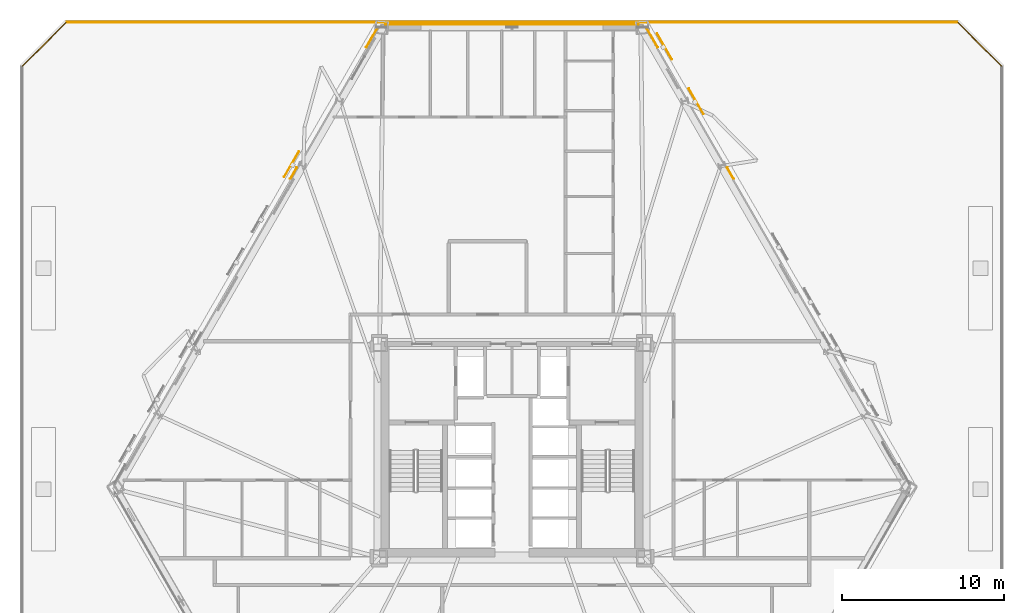
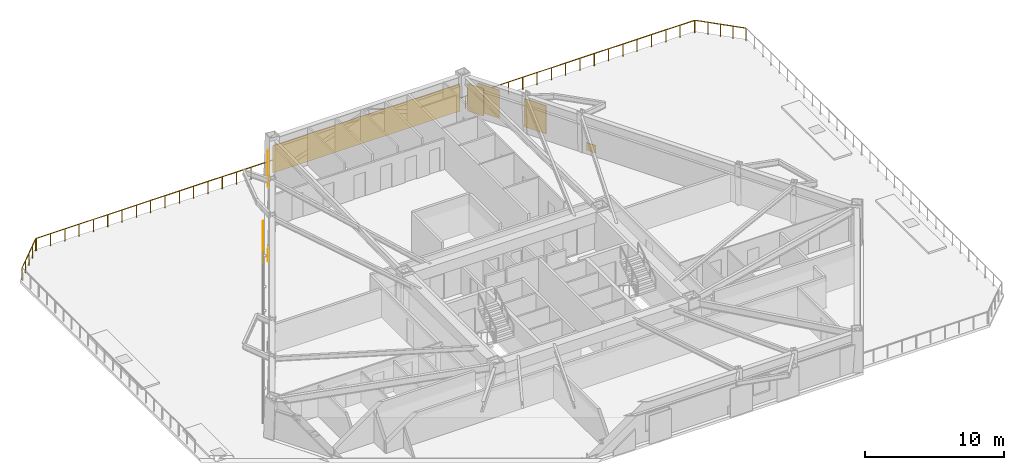
# One storey, part 14 of 14: 5 coverings, 3 railings, 3 shading devices.
"""IFC4 building model written with IfcOpenShell, lengths in metres."""

from ifc_helpers import new_model, si_unit, direction, frame, origin, origin_2d, place, context, subcontext, project, spatial, rectangle, circle, extrude, material, layer, layer_set, type_object, element, save


model = new_model("IFC4")

# Units and contexts
model_context = context("Model", 3, precision=1e-05, world=origin(), true_north=direction((0.0, 1.0)))
body_context = subcontext(model_context, "Body", "Model", "MODEL_VIEW")
ifc_project = project(units=[si_unit("LENGTHUNIT", "METRE"), si_unit("AREAUNIT", "SQUARE_METRE"), si_unit("VOLUMEUNIT", "CUBIC_METRE"), si_unit("PLANEANGLEUNIT", "RADIAN"), si_unit("MASSUNIT", "GRAM", prefix="KILO")], contexts=[model_context])

# Site, building, storey
site_placement = place(None, origin())
site = spatial("IfcSite", under=ifc_project, at=site_placement, CompositionType="ELEMENT")
building_placement = place(site_placement, origin())
building = spatial("IfcBuilding", under=site, at=building_placement, Name="Oramaril Tower", CompositionType="ELEMENT")
storey_placement = place(building_placement, frame((0.0, 0.0, 27.300048828125)))
storey = spatial("IfcBuildingStorey", under=building, at=storey_placement, Name="L06", CompositionType="ELEMENT", Elevation=27.300048828125)

# Coverings
ifc_material_1 = material(Name="Warm Cream Limestone", Category="masonry")
ifc_layer = layer(ifc_material_1, 0.050048828125)
ifc_layer_set = layer_set([ifc_layer], Name="CVT-CLD")
covering_type = type_object("IfcCoveringType", Name="CVT-CLD", PredefinedType="CLADDING", material=ifc_layer_set)
covering_1_placement = place(storey_placement, frame((46.140380859375, 43.00048828125, 0.0400390625), z_axis=(0.0, 0.0, 1.0), x_axis=(-0.5, 0.866025403784, 0.0)))
element("IfcCovering", 1, at=covering_1_placement, inside=storey, type_object=covering_type, Name="L06 Warm Cream Limestone Cladding", PredefinedType="CLADDING", context=body_context, shape_type="SweptSolid", body=[
    extrude(rectangle(XDim=1.35009765625, YDim=0.050048828125, at=origin_2d()), origin(), (0.0, 0.0, 1.0), 2.4140625),
])
covering_2_placement = place(storey_placement, frame((50.951171875, 34.667724609375, 0.0400390625), z_axis=(0.0, 0.0, 1.0), x_axis=(-0.5, 0.866025403784, 0.0)))
element("IfcCovering", 2, at=covering_2_placement, inside=storey, type_object=covering_type, Name="L06 Warm Cream Limestone Spandrel Cladding", PredefinedType="CLADDING", context=body_context, shape_type="SweptSolid", body=[
    extrude(rectangle(XDim=0.800048828125, YDim=0.050048828125, at=origin_2d()), origin(), (0.0, 0.0, 1.0), 0.679931640625),
])
covering_3_placement = place(storey_placement, frame((37.5, 43.8330078125, 0.0400390625), z_axis=(0.0, 0.0, 1.0), x_axis=(-1.0, 0.0, 0.0)))
element("IfcCovering", 3, at=covering_3_placement, inside=storey, type_object=covering_type, Name="L06 Warm Cream Limestone Cladding", PredefinedType="CLADDING", context=body_context, shape_type="SweptSolid", body=[
    extrude(rectangle(XDim=15.596435546875, YDim=0.050048828125, at=origin_2d()), origin(), (0.0, 0.0, 1.0), 2.4140625),
])
covering_4_placement = place(storey_placement, frame((28.859619140625, 43.00048828125, 0.0400390625), z_axis=(0.0, 0.0, 1.0), x_axis=(-0.5, -0.866025403784, 0.0)))
element("IfcCovering", 4, at=covering_4_placement, inside=storey, type_object=covering_type, Name="L06 Warm Cream Limestone Cladding", PredefinedType="CLADDING", context=body_context, shape_type="SweptSolid", body=[
    extrude(rectangle(XDim=1.35009765625, YDim=0.050048828125, at=origin_2d()), origin(), (0.0, 0.0, 1.0), 2.4140625),
])
covering_5_placement = place(storey_placement, frame((24.048828125, 34.667724609375, 0.0400390625), z_axis=(0.0, 0.0, 1.0), x_axis=(-0.5, -0.866025403784, 0.0)))
element("IfcCovering", 5, at=covering_5_placement, inside=storey, type_object=covering_type, Name="L06 Warm Cream Limestone Spandrel Cladding", PredefinedType="CLADDING", context=body_context, shape_type="SweptSolid", body=[
    extrude(rectangle(XDim=0.800048828125, YDim=0.050048828125, at=origin_2d()), origin(), (0.0, 0.0, 1.0), 0.679931640625),
])

# Railings
ifc_material_2 = material(Name="Stainless Steel 316L", Category="steel")
railing_type = type_object("IfcRailingType", Name="RLT-GRD", PredefinedType="GUARDRAIL", material=ifc_material_2)
railing_1_placement = place(storey_placement, frame((67.638916015625, 41.26318359375, 0.0)))
element("IfcRailing", 6, at=railing_1_placement, inside=storey, type_object=railing_type, Name="L06 Podium Terrace Guardrail 04", PredefinedType="GUARDRAIL", context=body_context, shape_type="SweptSolid", body=[
    extrude(circle(Radius=0.02392578125, at=origin_2d()), frame((0.0, 0.0, 1.076171875), z_axis=(-0.707139040443, 0.707074520458, 0.0), x_axis=(-0.707074520458, -0.707139040443, 0.0)), (0.0, 0.0, 1.0), 3.783935546875),
    extrude(circle(Radius=0.02099609375, at=origin_2d()), origin(), (0.0, 0.0, 1.0), 1.052001953125),
    extrude(circle(Radius=0.02099609375, at=origin_2d()), frame((-0.6689453125, 0.6689453125, 0.0)), (0.0, 0.0, 1.0), 1.052001953125),
    extrude(circle(Radius=0.02099609375, at=origin_2d()), frame((-1.337890625, 1.337890625, 0.0)), (0.0, 0.0, 1.0), 1.052001953125),
    extrude(circle(Radius=0.02099609375, at=origin_2d()), frame((-2.0068359375, 2.006591796875, 0.0)), (0.0, 0.0, 1.0), 1.052001953125),
    extrude(circle(Radius=0.02099609375, at=origin_2d()), frame((-2.67578125, 2.675537109375, 0.0)), (0.0, 0.0, 1.0), 1.052001953125),
])
railing_2_placement = place(storey_placement, frame((64.912109375, 43.9599609375, 0.0)))
element("IfcRailing", 7, at=railing_2_placement, inside=storey, type_object=railing_type, Name="L06 Podium Terrace Guardrail 05", PredefinedType="GUARDRAIL", context=body_context, shape_type="SweptSolid", body=[
    extrude(circle(Radius=0.02392578125, at=origin_2d()), frame((0.0, 0.0, 1.076171875), z_axis=(-1.0, 0.0, 0.0), x_axis=(0.0, -1.0, 0.0)), (0.0, 0.0, 1.0), 54.82421875),
    extrude(circle(Radius=0.02099609375, at=origin_2d()), origin(), (0.0, 0.0, 1.0), 1.052001953125),
    extrude(circle(Radius=0.02099609375, at=origin_2d()), frame((-1.19189453125, 0.0, 0.0)), (0.0, 0.0, 1.0), 1.052001953125),
    extrude(circle(Radius=0.02099609375, at=origin_2d()), frame((-2.383544921875, 0.0, 0.0)), (0.0, 0.0, 1.0), 1.052001953125),
    extrude(circle(Radius=0.02099609375, at=origin_2d()), frame((-3.575439453125, 0.0, 0.0)), (0.0, 0.0, 1.0), 1.052001953125),
    extrude(circle(Radius=0.02099609375, at=origin_2d()), frame((-4.767333984375, 0.0, 0.0)), (0.0, 0.0, 1.0), 1.052001953125),
    extrude(circle(Radius=0.02099609375, at=origin_2d()), frame((-5.959228515625, 0.0, 0.0)), (0.0, 0.0, 1.0), 1.052001953125),
    extrude(circle(Radius=0.02099609375, at=origin_2d()), frame((-7.15087890625, 0.0, 0.0)), (0.0, 0.0, 1.0), 1.052001953125),
    extrude(circle(Radius=0.02099609375, at=origin_2d()), frame((-8.3427734375, 0.0, 0.0)), (0.0, 0.0, 1.0), 1.052001953125),
    extrude(circle(Radius=0.02099609375, at=origin_2d()), frame((-9.53466796875, 0.0, 0.0)), (0.0, 0.0, 1.0), 1.052001953125),
    extrude(circle(Radius=0.02099609375, at=origin_2d()), frame((-10.7265625, 0.0, 0.0)), (0.0, 0.0, 1.0), 1.052001953125),
    extrude(circle(Radius=0.02099609375, at=origin_2d()), frame((-11.918212890625, 0.0, 0.0)), (0.0, 0.0, 1.0), 1.052001953125),
    extrude(circle(Radius=0.02099609375, at=origin_2d()), frame((-13.110107421875, 0.0, 0.0)), (0.0, 0.0, 1.0), 1.052001953125),
    extrude(circle(Radius=0.02099609375, at=origin_2d()), frame((-14.302001953125, 0.0, 0.0)), (0.0, 0.0, 1.0), 1.052001953125),
    extrude(circle(Radius=0.02099609375, at=origin_2d()), frame((-15.493896484375, 0.0, 0.0)), (0.0, 0.0, 1.0), 1.052001953125),
    extrude(circle(Radius=0.02099609375, at=origin_2d()), frame((-16.685546875, 0.0, 0.0)), (0.0, 0.0, 1.0), 1.052001953125),
    extrude(circle(Radius=0.02099609375, at=origin_2d()), frame((-17.87744140625, 0.0, 0.0)), (0.0, 0.0, 1.0), 1.052001953125),
    extrude(circle(Radius=0.02099609375, at=origin_2d()), frame((-19.0693359375, 0.0, 0.0)), (0.0, 0.0, 1.0), 1.052001953125),
    extrude(circle(Radius=0.02099609375, at=origin_2d()), frame((-20.26123046875, 0.0, 0.0)), (0.0, 0.0, 1.0), 1.052001953125),
    extrude(circle(Radius=0.02099609375, at=origin_2d()), frame((-21.452880859375, 0.0, 0.0)), (0.0, 0.0, 1.0), 1.052001953125),
    extrude(circle(Radius=0.02099609375, at=origin_2d()), frame((-22.644775390625, 0.0, 0.0)), (0.0, 0.0, 1.0), 1.052001953125),
    extrude(circle(Radius=0.02099609375, at=origin_2d()), frame((-23.836669921875, 0.0, 0.0)), (0.0, 0.0, 1.0), 1.052001953125),
    extrude(circle(Radius=0.02099609375, at=origin_2d()), frame((-25.028564453125, 0.0, 0.0)), (0.0, 0.0, 1.0), 1.052001953125),
    extrude(circle(Radius=0.02099609375, at=origin_2d()), frame((-26.22021484375, 0.0, 0.0)), (0.0, 0.0, 1.0), 1.052001953125),
    extrude(circle(Radius=0.02099609375, at=origin_2d()), frame((-27.412109375, 0.0, 0.0)), (0.0, 0.0, 1.0), 1.052001953125),
    extrude(circle(Radius=0.02099609375, at=origin_2d()), frame((-28.60400390625, 0.0, 0.0)), (0.0, 0.0, 1.0), 1.052001953125),
    extrude(circle(Radius=0.02099609375, at=origin_2d()), frame((-29.795654296875, 0.0, 0.0)), (0.0, 0.0, 1.0), 1.052001953125),
    extrude(circle(Radius=0.02099609375, at=origin_2d()), frame((-30.987548828125, 0.0, 0.0)), (0.0, 0.0, 1.0), 1.052001953125),
    extrude(circle(Radius=0.02099609375, at=origin_2d()), frame((-32.179443359375, 0.0, 0.0)), (0.0, 0.0, 1.0), 1.052001953125),
    extrude(circle(Radius=0.02099609375, at=origin_2d()), frame((-33.371337890625, 0.0, 0.0)), (0.0, 0.0, 1.0), 1.052001953125),
    extrude(circle(Radius=0.02099609375, at=origin_2d()), frame((-34.56298828125, 0.0, 0.0)), (0.0, 0.0, 1.0), 1.052001953125),
    extrude(circle(Radius=0.02099609375, at=origin_2d()), frame((-35.7548828125, 0.0, 0.0)), (0.0, 0.0, 1.0), 1.052001953125),
    extrude(circle(Radius=0.02099609375, at=origin_2d()), frame((-36.94677734375, 0.0, 0.0)), (0.0, 0.0, 1.0), 1.052001953125),
    extrude(circle(Radius=0.02099609375, at=origin_2d()), frame((-38.138671875, 0.0, 0.0)), (0.0, 0.0, 1.0), 1.052001953125),
    extrude(circle(Radius=0.02099609375, at=origin_2d()), frame((-39.330322265625, 0.0, 0.0)), (0.0, 0.0, 1.0), 1.052001953125),
    extrude(circle(Radius=0.02099609375, at=origin_2d()), frame((-40.522216796875, 0.0, 0.0)), (0.0, 0.0, 1.0), 1.052001953125),
    extrude(circle(Radius=0.02099609375, at=origin_2d()), frame((-41.714111328125, 0.0, 0.0)), (0.0, 0.0, 1.0), 1.052001953125),
    extrude(circle(Radius=0.02099609375, at=origin_2d()), frame((-42.906005859375, 0.0, 0.0)), (0.0, 0.0, 1.0), 1.052001953125),
    extrude(circle(Radius=0.02099609375, at=origin_2d()), frame((-44.09765625, 0.0, 0.0)), (0.0, 0.0, 1.0), 1.052001953125),
    extrude(circle(Radius=0.02099609375, at=origin_2d()), frame((-45.28955078125, 0.0, 0.0)), (0.0, 0.0, 1.0), 1.052001953125),
    extrude(circle(Radius=0.02099609375, at=origin_2d()), frame((-46.4814453125, 0.0, 0.0)), (0.0, 0.0, 1.0), 1.052001953125),
    extrude(circle(Radius=0.02099609375, at=origin_2d()), frame((-47.67333984375, 0.0, 0.0)), (0.0, 0.0, 1.0), 1.052001953125),
    extrude(circle(Radius=0.02099609375, at=origin_2d()), frame((-48.864990234375, 0.0, 0.0)), (0.0, 0.0, 1.0), 1.052001953125),
    extrude(circle(Radius=0.02099609375, at=origin_2d()), frame((-50.056884765625, 0.0, 0.0)), (0.0, 0.0, 1.0), 1.052001953125),
    extrude(circle(Radius=0.02099609375, at=origin_2d()), frame((-51.248779296875, 0.0, 0.0)), (0.0, 0.0, 1.0), 1.052001953125),
    extrude(circle(Radius=0.02099609375, at=origin_2d()), frame((-52.440673828125, 0.0, 0.0)), (0.0, 0.0, 1.0), 1.052001953125),
    extrude(circle(Radius=0.02099609375, at=origin_2d()), frame((-53.63232421875, 0.0, 0.0)), (0.0, 0.0, 1.0), 1.052001953125),
    extrude(circle(Radius=0.02099609375, at=origin_2d()), frame((-54.82421875, 0.0, 0.0)), (0.0, 0.0, 1.0), 1.052001953125),
])
railing_3_placement = place(storey_placement, frame((10.036865234375, 43.938720703125, 0.0)))
element("IfcRailing", 8, at=railing_3_placement, inside=storey, type_object=railing_type, Name="L06 Podium Terrace Guardrail 06", PredefinedType="GUARDRAIL", context=body_context, shape_type="SweptSolid", body=[
    extrude(circle(Radius=0.02392578125, at=origin_2d()), frame((0.0, 0.0, 1.076171875), z_axis=(-0.707139040443, -0.707074520458, 0.0), x_axis=(0.707074520458, -0.707139040443, 0.0)), (0.0, 0.0, 1.0), 3.783935546875),
    extrude(circle(Radius=0.02099609375, at=origin_2d()), origin(), (0.0, 0.0, 1.0), 1.052001953125),
    extrude(circle(Radius=0.02099609375, at=origin_2d()), frame((-0.6689453125, -0.6689453125, 0.0)), (0.0, 0.0, 1.0), 1.052001953125),
    extrude(circle(Radius=0.02099609375, at=origin_2d()), frame((-1.337890625, -1.337890625, 0.0)), (0.0, 0.0, 1.0), 1.052001953125),
    extrude(circle(Radius=0.02099609375, at=origin_2d()), frame((-2.0068359375, -2.006591796875, 0.0)), (0.0, 0.0, 1.0), 1.052001953125),
    extrude(circle(Radius=0.02099609375, at=origin_2d()), frame((-2.67578125, -2.675537109375, 0.0)), (0.0, 0.0, 1.0), 1.052001953125),
])

# Shading devices
for number, where, z_axis, x_axis, name in (
    (9, (48.843994140625, 39.091552734375, -0.02001953125), (0.0, 0.0, 1.0), (-0.5, 0.866025403784, 0.0), "L06 Perforated Ceramic Solar Screen"),
    (10, (46.893798828125, 42.468994140625, -0.02001953125), (0.0, 0.0, 1.0), (-0.5, 0.866025403784, 0.0), "L06 Perforated Ceramic Solar Screen"),
    (11, (23.91650390625, 35.21240234375, -0.02001953125), (0.0, 0.0, 1.0), (-0.5, -0.866025403784, 0.0), "L06 Perforated Ceramic Solar Screen"),
):
    element("IfcShadingDevice", number, at=place(storey_placement, frame(where, z_axis=z_axis, x_axis=x_axis)), inside=storey, Name=name, ObjectType="SCREEN", PredefinedType="USERDEFINED", context=body_context, shape_type="SweptSolid", body=[
        extrude(rectangle(XDim=1.8330078125, YDim=0.050048828125, at=origin_2d()), origin(), (0.0, 0.0, 1.0), 2.493896484375),
    ])

save(model, "model.ifc")
